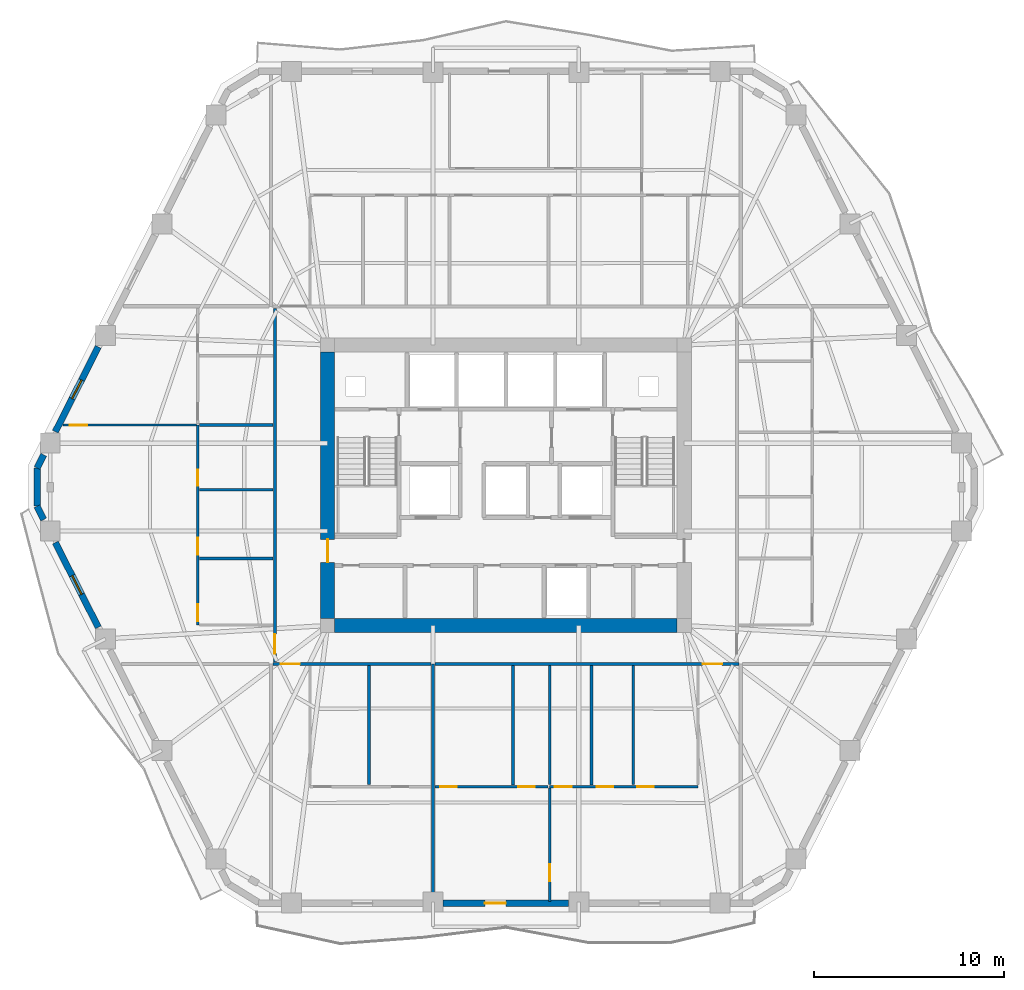
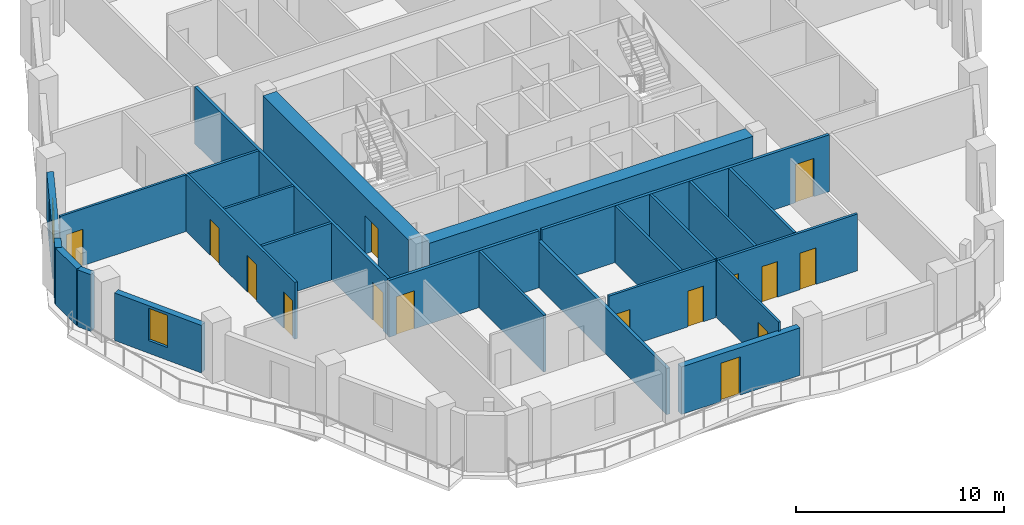
# One storey, part 4 of 11: 25 walls, 15 doors, 2 windows, 17 openings.
"""IFC4 building model written with IfcOpenShell, lengths in metres."""

import ifcopenshell
import ifcopenshell.guid

model = None  # the IFC model being written
_history = None  # IfcOwnerHistory: only IFC2X3 demands one
_inside = {}  # id of a spatial element -> (the spatial element, [elements in it])
_under = {}  # id of a project, library or spatial element -> (it, [spatial elements below it])
_declared = {}  # id of a project -> (the project, [libraries it declares])
_typed = {}  # id of a type object -> (the type object, [elements of that type])
_made_of = {}  # id of a material, layer set ... -> (it, [elements and type objects made of it])


def new_model(schema):
    """Start an empty IFC model of exactly this schema.

    Asked for "IFC4X3", IfcOpenShell would pick the latest addendum, in which some entities
    have other attributes; the version numbers below select the first issue.
    IFC2X3 requires an IfcOwnerHistory on every rooted entity: one is made here for all.
    """
    global model, _history
    if schema == "IFC4X3":
        model = ifcopenshell.file(schema_version=(4, 3, 0, 0))
    else:
        model = ifcopenshell.file(schema=schema)
    _inside.clear()
    _under.clear()
    _declared.clear()
    _typed.clear()
    _made_of.clear()
    _history = None
    if model.schema == "IFC2X3":
        org = make("IfcOrganization", Name="unknown")
        user = make(
            "IfcPersonAndOrganization",
            ThePerson=make("IfcPerson", FamilyName="unknown"),
            TheOrganization=org,
        )
        app = make(
            "IfcApplication",
            ApplicationDeveloper=org,
            Version="unknown",
            ApplicationFullName="unknown",
            ApplicationIdentifier="unknown",
        )
        _history = make(
            "IfcOwnerHistory",
            OwningUser=user,
            OwningApplication=app,
            ChangeAction="ADDED",
            CreationDate=0,
        )
    return model


def make(cls, **values):
    """One entity of the class cls with the attributes given. An attribute that is None is left unset."""
    return model.create_entity(
        cls, **{name: value for name, value in values.items() if value is not None}
    )


def rooted(cls, **values):
    """An entity with a GlobalId (a new one), such as an element, a storey or a relation."""
    return make(cls, GlobalId=ifcopenshell.guid.new(), OwnerHistory=_history, **values)


def si_unit(unit_type, name, prefix=None):
    """IfcSIUnit, for example si_unit("LENGTHUNIT", "METRE", prefix="MILLI")."""
    return make("IfcSIUnit", UnitType=unit_type, Prefix=prefix, Name=name)


def assignment(units):
    """IfcUnitAssignment: the units of a project."""
    return None if units is None else make("IfcUnitAssignment", Units=units)


def point(xyz):
    """IfcCartesianPoint."""
    return None if xyz is None else make("IfcCartesianPoint", Coordinates=xyz)


def direction(xyz):
    """IfcDirection."""
    return None if xyz is None else make("IfcDirection", DirectionRatios=xyz)


def frame(location, z_axis=None, x_axis=None):
    """IfcAxis2Placement3D, a coordinate frame: its origin and axes. An axis left out is left unset."""
    return make(
        "IfcAxis2Placement3D",
        Location=point(location),
        Axis=direction(z_axis),
        RefDirection=direction(x_axis),
    )


def frame_2d(location, x_axis=None):
    """IfcAxis2Placement2D, a coordinate frame in the plane: its origin and x axis."""
    return make(
        "IfcAxis2Placement2D", Location=point(location), RefDirection=direction(x_axis)
    )


def origin():
    """The frame at (0, 0, 0) with its axes left unset."""
    return frame((0.0, 0.0, 0.0))


def place(relative_to, where):
    """IfcLocalPlacement: puts the frame where relative to a parent placement (None: the world)."""
    return make(
        "IfcLocalPlacement", PlacementRelTo=relative_to, RelativePlacement=where
    )


def context(
    kind, dimensions, precision=None, world=None, true_north=None, identifier=None
):
    """IfcGeometricRepresentationContext, for example the 3D "Model" context."""
    return make(
        "IfcGeometricRepresentationContext",
        ContextIdentifier=identifier,
        ContextType=kind,
        CoordinateSpaceDimension=dimensions,
        Precision=precision,
        WorldCoordinateSystem=world,
        TrueNorth=true_north,
    )


def subcontext(parent, identifier, kind, view, scale=None):
    """IfcGeometricRepresentationSubContext, for example "Body" below "Model"."""
    return make(
        "IfcGeometricRepresentationSubContext",
        ContextIdentifier=identifier,
        ContextType=kind,
        ParentContext=parent,
        TargetScale=scale,
        TargetView=view,
    )


def project(units=None, contexts=None):
    """IfcProject with its units and contexts."""
    return rooted(
        "IfcProject",
        Name="project",
        RepresentationContexts=contexts,
        UnitsInContext=assignment(units),
    )


def spatial(cls, under=None, at=None, **own):
    """A site, building, storey or space (cls), placed at a placement, below another one or the project."""
    s = rooted(cls, ObjectPlacement=at, **own)
    if under is not None:
        _under.setdefault(under.id(), (under, []))[1].append(s)
    return s


def profile(cls, at=None, kind="AREA", **sizes):
    """A parametric profile (cls). Its sizes go by their IFC names, for example OverallWidth=200.0."""
    return make(cls, ProfileType=kind, Position=at, **sizes)


def rectangle(**sizes):
    """IfcRectangleProfileDef."""
    return profile("IfcRectangleProfileDef", **sizes)


def extrude(swept, where, along, depth):
    """IfcExtrudedAreaSolid: the profile swept, set in the frame where, extruded along a direction by depth."""
    return make(
        "IfcExtrudedAreaSolid",
        SweptArea=swept,
        Position=where,
        ExtrudedDirection=direction(along),
        Depth=depth,
    )


def shape(context_of_items, identifier, shape_type, items):
    """IfcShapeRepresentation: the items that make up one representation, for example the "Body"."""
    return make(
        "IfcShapeRepresentation",
        ContextOfItems=context_of_items,
        RepresentationIdentifier=identifier,
        RepresentationType=shape_type,
        Items=items,
    )


def material(Name=None, Category=None):
    """IfcMaterial."""
    return make("IfcMaterial", Name=Name, Category=Category)


def layer(
    of_material, thickness, ventilated=None, Name=None, Category=None, Priority=None
):
    """IfcMaterialLayer: one layer of a wall or slab, of a material (None: an air gap)."""
    return make(
        "IfcMaterialLayer",
        Material=of_material,
        LayerThickness=thickness,
        IsVentilated=ventilated,
        Name=Name,
        Category=Category,
        Priority=Priority,
    )


def layer_set(layers, Name=None):
    """IfcMaterialLayerSet."""
    return make("IfcMaterialLayerSet", MaterialLayers=layers, LayerSetName=Name)


def made_of(thing, what):
    """Note that an element or type object is made of a material, layer set ...; save() writes the relation."""
    if what is not None:
        _made_of.setdefault(what.id(), (what, []))[1].append(thing)
    return thing


def type_object(cls, material=None, **own):
    """A type object (cls), such as IfcWallType, which elements share."""
    return made_of(rooted(cls, **own), material)


def element(
    cls,
    number,
    at=None,
    inside=None,
    cuts=None,
    type_object=None,
    material=None,
    context=None,
    identifier="Body",
    shape_type=None,
    held_by="IfcProductDefinitionShape",
    body=None,
    shapes=None,
    **own,
):
    """One element of the class cls, such as IfcWall. Its Tag is "e" and its number.

    at: its placement. inside: the storey or other place that contains it. cuts: it is an
    opening in that element (IfcRelVoidsElement). A single representation is given by context,
    identifier, shape_type and body (its items); several are given by shapes. held_by: the class
    of the entity that holds the representations. save() writes the other relations.
    """
    e = rooted(cls, Tag="e%d" % number, ObjectPlacement=at, **own)
    if body is not None:
        shapes = [shape(context, identifier, shape_type, body)]
    if shapes is not None:
        e.Representation = make(held_by, Representations=shapes)
    if inside is not None:
        _inside.setdefault(inside.id(), (inside, []))[1].append(e)
    if cuts is not None:
        rooted(
            "IfcRelVoidsElement", RelatingBuildingElement=cuts, RelatedOpeningElement=e
        )
    if type_object is not None:
        _typed.setdefault(type_object.id(), (type_object, []))[1].append(e)
    return made_of(e, material)


def fill(opening, filler):
    """IfcRelFillsElement: the door or window that sits in an opening."""
    return rooted(
        "IfcRelFillsElement",
        RelatingOpeningElement=opening,
        RelatedBuildingElement=filler,
    )


def aggregate(whole, parts):
    """IfcRelAggregates: a whole, such as a stair, and the parts it consists of."""
    return rooted("IfcRelAggregates", RelatingObject=whole, RelatedObjects=parts)


def save(model, path):
    """Write the relations noted so far, then the file.

    IfcRelAggregates (storeys below a building ...), IfcRelContainedInSpatialStructure (elements
    in a storey), IfcRelDefinesByType, IfcRelAssociatesMaterial and IfcRelDeclares: one each for
    every whole, place, type object, material and project.
    """
    for whole, parts in _under.values():
        aggregate(whole, parts)
    for where, things in _inside.values():
        rooted(
            "IfcRelContainedInSpatialStructure",
            RelatedElements=things,
            RelatingStructure=where,
        )
    for kind, things in _typed.values():
        rooted("IfcRelDefinesByType", RelatedObjects=things, RelatingType=kind)
    for what, things in _made_of.values():
        rooted("IfcRelAssociatesMaterial", RelatedObjects=things, RelatingMaterial=what)
    for by, libraries in _declared.values():
        rooted("IfcRelDeclares", RelatingContext=by, RelatedDefinitions=libraries)
    model.write(path)


model = new_model("IFC4")

# Units and contexts
model_context = context("Model", 3, precision=1e-05, world=origin(), true_north=direction((0.0, 1.0)))
body_context = subcontext(model_context, "Body", "Model", "MODEL_VIEW")
ifc_project = project(units=[si_unit("LENGTHUNIT", "METRE"), si_unit("AREAUNIT", "SQUARE_METRE"), si_unit("VOLUMEUNIT", "CUBIC_METRE"), si_unit("PLANEANGLEUNIT", "RADIAN"), si_unit("MASSUNIT", "GRAM", prefix="KILO")], contexts=[model_context])

# Site, building, storey
site_placement = place(None, origin())
site = spatial("IfcSite", under=ifc_project, at=site_placement, CompositionType="ELEMENT")
building_placement = place(site_placement, origin())
building = spatial("IfcBuilding", under=site, at=building_placement, Name="Cinnabar Lancet Tower", CompositionType="ELEMENT")
storey_placement = place(building_placement, frame((0.0, 0.0, 130.35009765625)))
storey = spatial("IfcBuildingStorey", under=building, at=storey_placement, Name="L34", CompositionType="ELEMENT", Elevation=130.35009765625)

# Wall, opening, door
ifc_material_1 = material(Name="Acoustic twin-stud gypsum partition", Category="gypsum")
ifc_layer_1 = layer(ifc_material_1, 0.159912109375)
ifc_layer_set_1 = layer_set([ifc_layer_1], Name="Acoustic twin-stud gypsum partition")
wall_type_1 = type_object("IfcWallType", Name="ARC-WL-CORR-160", PredefinedType="PARTITIONING", material=ifc_layer_set_1)
wall_1_placement = place(storey_placement, frame((20.14501953125, 16.5, 0.0), z_axis=(0.0, 0.0, 1.0), x_axis=(1.0, 0.0, 0.0)))
wall_1 = element("IfcWall", 1, at=wall_1_placement, inside=storey, type_object=wall_type_1, Name="L34 Unit S01 Corridor Wall", PredefinedType="PARTITIONING", context=body_context, shape_type="SweptSolid", body=[
    extrude(rectangle(XDim=8.327880859375, YDim=0.159912109375, at=frame_2d((4.1640625, 0.0))), origin(), (0.0, 0.0, 1.0), 3.33984375),
])
opening_1_placement = place(wall_1_placement, frame((0.405029296875, 0.0, 0.0)))
opening_1 = element("IfcOpeningElement", 2, at=opening_1_placement, cuts=wall_1, Name="Opening UD-01", PredefinedType="OPENING", context=body_context, shape_type="SweptSolid", body=[
    extrude(rectangle(XDim=1.02001953125, YDim=2.25, at=frame_2d((0.510009765625, 1.125))), frame((0.0, 0.08984375, 0.0), z_axis=(0.0, -1.0, 0.0), x_axis=(1.0, 0.0, 0.0)), (0.0, 0.0, 1.0), 0.179931640625),
])
ifc_material_2 = material(Name="Solid timber fire-rated apartment entrance door", Category="wood")
door_type_1 = type_object("IfcDoorType", Name="ARC-DR-UNIT", OperationType="NOTDEFINED", PredefinedType="DOOR", material=ifc_material_2)
door_1_placement = place(opening_1_placement, origin())
door_1 = element("IfcDoor", 3, at=door_1_placement, inside=storey, type_object=door_type_1, Name="DR-L34-S01-ENT", OperationType="SINGLE_SWING_RIGHT", OverallHeight=2.25, OverallWidth=1.02001953125, PredefinedType="DOOR", context=body_context, shape_type="SweptSolid", body=[
    extrude(rectangle(XDim=1.02001953125, YDim=2.25, at=frame_2d((0.510009765625, 1.125))), frame((0.0, 0.02490234375, 0.0), z_axis=(0.0, -1.0, 0.0), x_axis=(1.0, 0.0, 0.0)), (0.0, 0.0, 1.0), 0.050048828125),
])
fill(opening_1, door_1)

wall_2_placement = place(storey_placement, frame((28.6630859375, 16.5, 0.0), z_axis=(0.0, 0.0, 1.0), x_axis=(1.0, 0.0, 0.0)))
wall_2 = element("IfcWall", 4, at=wall_2_placement, inside=storey, type_object=wall_type_1, Name="L34 Unit S02 Corridor Wall", PredefinedType="PARTITIONING", context=body_context, shape_type="SweptSolid", body=[
    extrude(rectangle(XDim=15.991943359375, YDim=0.159912109375, at=frame_2d((7.99609375, 0.0))), origin(), (0.0, 0.0, 1.0), 3.33984375),
])
opening_2_placement = place(wall_2_placement, frame((14.0869140625, 0.0, 0.0)))
opening_2 = element("IfcOpeningElement", 5, at=opening_2_placement, cuts=wall_2, Name="Opening UD-01", PredefinedType="OPENING", context=body_context, shape_type="SweptSolid", body=[
    extrude(rectangle(XDim=1.02001953125, YDim=2.25, at=frame_2d((0.510009765625, 1.125))), frame((0.0, 0.08984375, 0.0), z_axis=(0.0, -1.0, 0.0), x_axis=(1.0, 0.0, 0.0)), (0.0, 0.0, 1.0), 0.179931640625),
])
door_2_placement = place(opening_2_placement, origin())
door_2 = element("IfcDoor", 6, at=door_2_placement, inside=storey, type_object=door_type_1, Name="DR-L34-S02-ENT", OperationType="SINGLE_SWING_LEFT", OverallHeight=2.25, OverallWidth=1.02001953125, PredefinedType="DOOR", context=body_context, shape_type="SweptSolid", body=[
    extrude(rectangle(XDim=1.02001953125, YDim=2.25, at=frame_2d((0.510009765625, 1.125))), frame((0.0, 0.02490234375, 0.0), z_axis=(0.0, -1.0, 0.0), x_axis=(1.0, 0.0, 0.0)), (0.0, 0.0, 1.0), 0.050048828125),
])
fill(opening_2, door_2)

wall_3_placement = place(storey_placement, frame((20.25, 16.594970703125, 0.0), z_axis=(0.0, 0.0, 1.0), x_axis=(0.0, 1.0, 0.0)))
wall_3 = element("IfcWall", 7, at=wall_3_placement, inside=storey, type_object=wall_type_1, Name="UW-L34-W01-COR", PredefinedType="PARTITIONING", context=body_context, shape_type="SweptSolid", body=[
    extrude(rectangle(XDim=18.610107421875, YDim=0.159912109375, at=frame_2d((9.30517578125, 0.0))), origin(), (0.0, 0.0, 1.0), 3.33984375),
])
opening_3_placement = place(wall_3_placement, frame((0.449951171875, 0.0, 0.0)))
opening_3 = element("IfcOpeningElement", 8, at=opening_3_placement, cuts=wall_3, Name="Opening UD-01", PredefinedType="OPENING", context=body_context, shape_type="SweptSolid", body=[
    extrude(rectangle(XDim=1.02001953125, YDim=2.25, at=frame_2d((0.510009765625, 1.125))), frame((0.0, 0.08984375, 0.0), z_axis=(0.0, -1.0, 0.0), x_axis=(1.0, 0.0, 0.0)), (0.0, 0.0, 1.0), 0.179931640625),
])
door_3_placement = place(opening_3_placement, origin())
door_3 = element("IfcDoor", 9, at=door_3_placement, inside=storey, type_object=door_type_1, Name="DR-L34-W01-ENT", OperationType="SINGLE_SWING_RIGHT", OverallHeight=2.25, OverallWidth=1.02001953125, PredefinedType="DOOR", context=body_context, shape_type="SweptSolid", body=[
    extrude(rectangle(XDim=1.02001953125, YDim=2.25, at=frame_2d((0.510009765625, 1.125))), frame((0.0, 0.02490234375, 0.0), z_axis=(0.0, -1.0, 0.0), x_axis=(1.0, 0.0, 0.0)), (0.0, 0.0, 1.0), 0.050048828125),
])
fill(opening_3, door_3)

# Wall
ifc_material_3 = material(Name="Fire-rated twin-frame acoustic drywall", Category="gypsum")
ifc_layer_2 = layer(ifc_material_3, 0.179931640625)
ifc_layer_set_2 = layer_set([ifc_layer_2], Name="Fire-rated twin-frame acoustic drywall")
wall_type_2 = type_object("IfcWallType", Name="ARC-WL-PARTY-180", PredefinedType="PARTITIONING", material=ifc_layer_set_2)
wall_4_placement = place(storey_placement, frame((28.568115234375, 4.10498046875, 0.0), z_axis=(0.0, 0.0, 1.0), x_axis=(0.0, 1.0, 0.0)))
element("IfcWall", 10, at=wall_4_placement, inside=storey, type_object=wall_type_2, Name="PW-L34-SPTY-286", PredefinedType="PARTITIONING", context=body_context, shape_type="SweptSolid", body=[
    extrude(rectangle(XDim=12.39501953125, YDim=0.179931640625, at=frame_2d((6.197509765625, 0.0))), origin(), (0.0, 0.0, 1.0), 2.721923828125),
])

# Wall, opening, door
ifc_material_4 = material(Name="Gypsum plasterboard stud partition", Category="gypsum")
ifc_layer_3 = layer(ifc_material_4, 0.125)
ifc_layer_set_3 = layer_set([ifc_layer_3], Name="Gypsum plasterboard stud partition")
wall_type_3 = type_object("IfcWallType", Name="ARC-WL-UNIT-125", PredefinedType="PARTITIONING", material=ifc_layer_set_3)
wall_5_placement = place(storey_placement, frame((34.701904296875, 4.014892578125, 0.0), z_axis=(0.0, 0.0, 1.0), x_axis=(0.0, 1.0, 0.0)))
wall_5 = element("IfcWall", 11, at=wall_5_placement, inside=storey, type_object=wall_type_3, Name="UW-L34-S02-MBW", PredefinedType="PARTITIONING", context=body_context, shape_type="SweptSolid", body=[
    extrude(rectangle(XDim=5.965087890625, YDim=0.125, at=frame_2d((2.982421875, 0.0))), origin(), (0.0, 0.0, 1.0), 3.33984375),
])
opening_4_placement = place(wall_5_placement, frame((1.050048828125, 0.0, 0.0)))
opening_4 = element("IfcOpeningElement", 12, at=opening_4_placement, cuts=wall_5, Name="Opening RD-01", PredefinedType="OPENING", context=body_context, shape_type="SweptSolid", body=[
    extrude(rectangle(XDim=0.919921875, YDim=2.14990234375, at=frame_2d((0.4599609375, 1.074951171875))), frame((0.0, 0.072509765625, 0.0), z_axis=(0.0, -1.0, 0.0), x_axis=(1.0, 0.0, 0.0)), (0.0, 0.0, 1.0), 0.14501953125),
])
ifc_material_5 = material(Name="Engineered timber bedroom door", Category="wood")
door_type_2 = type_object("IfcDoorType", Name="ARC-DR-ROOM", OperationType="NOTDEFINED", PredefinedType="DOOR", material=ifc_material_5)
door_4_placement = place(opening_4_placement, origin())
door_4 = element("IfcDoor", 13, at=door_4_placement, inside=storey, type_object=door_type_2, Name="DR-L34-S02-MBD", OperationType="SINGLE_SWING_RIGHT", OverallHeight=2.14990234375, OverallWidth=0.919921875, PredefinedType="DOOR", context=body_context, shape_type="SweptSolid", body=[
    extrude(rectangle(XDim=0.919921875, YDim=2.14990234375, at=frame_2d((0.4599609375, 1.074951171875))), frame((0.0, 0.02490234375, 0.0), z_axis=(0.0, -1.0, 0.0), x_axis=(1.0, 0.0, 0.0)), (0.0, 0.0, 1.0), 0.050048828125),
])
fill(opening_4, door_4)

wall_6_placement = place(storey_placement, frame((9.115966796875, 29.06396484375, 0.0), z_axis=(0.0, 0.0, 1.0), x_axis=(1.0, 0.0, 0.0)))
wall_6 = element("IfcWall", 14, at=wall_6_placement, inside=storey, type_object=wall_type_3, Name="UW-L34-W01-MBN", PredefinedType="PARTITIONING", context=body_context, shape_type="SweptSolid", body=[
    extrude(rectangle(XDim=7.009033203125, YDim=0.125, at=frame_2d((3.50439453125, 0.0))), origin(), (0.0, 0.0, 1.0), 3.33984375),
])
opening_5_placement = place(wall_6_placement, frame((0.35009765625, 0.0, 0.0)))
opening_5 = element("IfcOpeningElement", 15, at=opening_5_placement, cuts=wall_6, Name="Opening RD-01", PredefinedType="OPENING", context=body_context, shape_type="SweptSolid", body=[
    extrude(rectangle(XDim=0.919921875, YDim=2.14990234375, at=frame_2d((0.4599609375, 1.074951171875))), frame((0.0, 0.072509765625, 0.0), z_axis=(0.0, -1.0, 0.0), x_axis=(1.0, 0.0, 0.0)), (0.0, 0.0, 1.0), 0.14501953125),
])
door_5_placement = place(opening_5_placement, origin())
door_5 = element("IfcDoor", 16, at=door_5_placement, inside=storey, type_object=door_type_2, Name="DR-L34-W01-MBD", OperationType="SINGLE_SWING_RIGHT", OverallHeight=2.14990234375, OverallWidth=0.919921875, PredefinedType="DOOR", context=body_context, shape_type="SweptSolid", body=[
    extrude(rectangle(XDim=0.919921875, YDim=2.14990234375, at=frame_2d((0.4599609375, 1.074951171875))), frame((0.0, 0.02490234375, 0.0), z_axis=(0.0, -1.0, 0.0), x_axis=(1.0, 0.0, 0.0)), (0.0, 0.0, 1.0), 0.050048828125),
])
fill(opening_5, door_5)

# Walls
wall_7_placement = place(storey_placement, frame((16.284912109375, 25.6640625, 0.0), z_axis=(0.0, 0.0, 1.0), x_axis=(1.0, 0.0, 0.0)))
element("IfcWall", 17, at=wall_7_placement, inside=storey, type_object=wall_type_3, Name="UW-L34-W01-UDV", PredefinedType="PARTITIONING", context=body_context, shape_type="SweptSolid", body=[
    extrude(rectangle(XDim=3.880126953125, YDim=0.125, at=frame_2d((1.93994140625, 0.0))), origin(), (0.0, 0.0, 1.0), 3.33984375),
])
ifc_material_6 = material(Name="Moisture-resistant cement-board plumbing wall", Category="masonry")
ifc_layer_4 = layer(ifc_material_6, 0.139892578125)
ifc_layer_set_4 = layer_set([ifc_layer_4], Name="Moisture-resistant cement-board plumbing wall")
wall_type_4 = type_object("IfcWallType", Name="ARC-WL-WET-140", PredefinedType="PLUMBINGWALL", material=ifc_layer_set_4)
wall_8_placement = place(storey_placement, frame((25.205078125, 10.159912109375, 0.0), z_axis=(0.0, 0.0, 1.0), x_axis=(0.0, 1.0, 0.0)))
element("IfcWall", 18, at=wall_8_placement, inside=storey, type_object=wall_type_4, Name="UW-L34-S01-KDV", PredefinedType="PLUMBINGWALL", context=body_context, shape_type="SweptSolid", body=[
    extrude(rectangle(XDim=6.255126953125, YDim=0.139892578125, at=frame_2d((3.12744140625, 0.0))), origin(), (0.0, 0.0, 1.0), 3.33984375),
])

# Wall, openings, doors
wall_9_placement = place(storey_placement, frame((34.701904296875, 10.054931640625, 0.0), z_axis=(0.0, 0.0, 1.0), x_axis=(1.0, 0.0, 0.0)))
wall_9 = element("IfcWall", 19, at=wall_9_placement, inside=storey, type_object=wall_type_4, Name="UW-L34-S02-SPL", PredefinedType="PLUMBINGWALL", context=body_context, shape_type="SweptSolid", body=[
    extrude(rectangle(XDim=7.798095703125, YDim=0.139892578125, at=frame_2d((3.89892578125, 0.0))), origin(), (0.0, 0.0, 1.0), 3.33984375),
])
opening_6_placement = place(wall_9_placement, frame((0.280029296875, 0.0, 0.0)))
opening_6 = element("IfcOpeningElement", 20, at=opening_6_placement, cuts=wall_9, Name="Opening RD-02", PredefinedType="OPENING", context=body_context, shape_type="SweptSolid", body=[
    extrude(rectangle(XDim=0.8798828125, YDim=2.14990234375, at=frame_2d((0.43994140625, 1.074951171875))), frame((0.0, 0.079833984375, 0.0), z_axis=(0.0, -1.0, 0.0), x_axis=(1.0, 0.0, 0.0)), (0.0, 0.0, 1.0), 0.159912109375),
])
opening_7_placement = place(wall_9_placement, frame((2.48193359375, 0.0, 0.0)))
opening_7 = element("IfcOpeningElement", 21, at=opening_7_placement, cuts=wall_9, Name="Opening BD-01", PredefinedType="OPENING", context=body_context, shape_type="SweptSolid", body=[
    extrude(rectangle(XDim=0.860107421875, YDim=2.10009765625, at=frame_2d((0.43017578125, 1.050048828125))), frame((0.0, 0.079833984375, 0.0), z_axis=(0.0, -1.0, 0.0), x_axis=(1.0, 0.0, 0.0)), (0.0, 0.0, 1.0), 0.159912109375),
])
opening_8_placement = place(wall_9_placement, frame((4.597900390625, 0.0, 0.0)))
opening_8 = element("IfcOpeningElement", 22, at=opening_8_placement, cuts=wall_9, Name="Opening RD-02", PredefinedType="OPENING", context=body_context, shape_type="SweptSolid", body=[
    extrude(rectangle(XDim=0.8798828125, YDim=2.14990234375, at=frame_2d((0.43994140625, 1.074951171875))), frame((0.0, 0.079833984375, 0.0), z_axis=(0.0, -1.0, 0.0), x_axis=(1.0, 0.0, 0.0)), (0.0, 0.0, 1.0), 0.159912109375),
])
ifc_material_7 = material(Name="Moisture-resistant timber bathroom door", Category="wood")
door_type_3 = type_object("IfcDoorType", Name="ARC-DR-BATH", OperationType="NOTDEFINED", PredefinedType="DOOR", material=ifc_material_7)
door_6_placement = place(opening_7_placement, origin())
door_6 = element("IfcDoor", 23, at=door_6_placement, inside=storey, type_object=door_type_3, Name="DR-L34-S02-BTH", OperationType="SINGLE_SWING_LEFT", OverallHeight=2.10009765625, OverallWidth=0.860107421875, PredefinedType="DOOR", context=body_context, shape_type="SweptSolid", body=[
    extrude(rectangle(XDim=0.860107421875, YDim=2.10009765625, at=frame_2d((0.43017578125, 1.050048828125))), frame((0.0, 0.02490234375, 0.0), z_axis=(0.0, -1.0, 0.0), x_axis=(1.0, 0.0, 0.0)), (0.0, 0.0, 1.0), 0.050048828125),
])
fill(opening_7, door_6)
ifc_material_8 = material(Name="Engineered timber study door", Category="wood")
door_type_4 = type_object("IfcDoorType", Name="ARC-DR-STUDY", OperationType="NOTDEFINED", PredefinedType="DOOR", material=ifc_material_8)
door_7_placement = place(opening_6_placement, origin())
door_7 = element("IfcDoor", 24, at=door_7_placement, inside=storey, type_object=door_type_4, Name="DR-L34-S02-BTH-WDR", OperationType="SINGLE_SWING_RIGHT", OverallHeight=2.14990234375, OverallWidth=0.8798828125, PredefinedType="DOOR", context=body_context, shape_type="SweptSolid", body=[
    extrude(rectangle(XDim=0.8798828125, YDim=2.14990234375, at=frame_2d((0.43994140625, 1.074951171875))), frame((0.0, 0.02490234375, 0.0), z_axis=(0.0, -1.0, 0.0), x_axis=(1.0, 0.0, 0.0)), (0.0, 0.0, 1.0), 0.050048828125),
])
fill(opening_6, door_7)
door_8_placement = place(opening_8_placement, origin())
door_8 = element("IfcDoor", 25, at=door_8_placement, inside=storey, type_object=door_type_4, Name="DR-L34-S02-KIT", OperationType="SINGLE_SWING_LEFT", OverallHeight=2.14990234375, OverallWidth=0.8798828125, PredefinedType="DOOR", context=body_context, shape_type="SweptSolid", body=[
    extrude(rectangle(XDim=0.8798828125, YDim=2.14990234375, at=frame_2d((0.43994140625, 1.074951171875))), frame((0.0, 0.02490234375, 0.0), z_axis=(0.0, -1.0, 0.0), x_axis=(1.0, 0.0, 0.0)), (0.0, 0.0, 1.0), 0.050048828125),
])
fill(opening_8, door_8)

wall_10_placement = place(storey_placement, frame((28.6630859375, 10.054931640625, 0.0), z_axis=(0.0, 0.0, 1.0), x_axis=(1.0, 0.0, 0.0)))
wall_10 = element("IfcWall", 26, at=wall_10_placement, inside=storey, type_object=wall_type_4, Name="UW-L34-S02-SPM", PredefinedType="PLUMBINGWALL", context=body_context, shape_type="SweptSolid", body=[
    extrude(rectangle(XDim=5.9638671875, YDim=0.139892578125, at=frame_2d((2.98193359375, 0.0))), origin(), (0.0, 0.0, 1.0), 3.33984375),
])
opening_9_placement = place(wall_10_placement, frame((0.280029296875, 0.0, 0.0)))
opening_9 = element("IfcOpeningElement", 27, at=opening_9_placement, cuts=wall_10, Name="Opening RD-02", PredefinedType="OPENING", context=body_context, shape_type="SweptSolid", body=[
    extrude(rectangle(XDim=0.8798828125, YDim=2.14990234375, at=frame_2d((0.43994140625, 1.074951171875))), frame((0.0, 0.079833984375, 0.0), z_axis=(0.0, -1.0, 0.0), x_axis=(1.0, 0.0, 0.0)), (0.0, 0.0, 1.0), 0.159912109375),
])
opening_10_placement = place(wall_10_placement, frame((4.39404296875, 0.0, 0.0)))
opening_10 = element("IfcOpeningElement", 28, at=opening_10_placement, cuts=wall_10, Name="Opening BD-01", PredefinedType="OPENING", context=body_context, shape_type="SweptSolid", body=[
    extrude(rectangle(XDim=0.860107421875, YDim=2.10009765625, at=frame_2d((0.43017578125, 1.050048828125))), frame((0.0, 0.079833984375, 0.0), z_axis=(0.0, -1.0, 0.0), x_axis=(1.0, 0.0, 0.0)), (0.0, 0.0, 1.0), 0.159912109375),
])
door_9_placement = place(opening_10_placement, origin())
door_9 = element("IfcDoor", 29, at=door_9_placement, inside=storey, type_object=door_type_3, Name="DR-L34-S02-ENS", OperationType="SINGLE_SWING_RIGHT", OverallHeight=2.10009765625, OverallWidth=0.860107421875, PredefinedType="DOOR", context=body_context, shape_type="SweptSolid", body=[
    extrude(rectangle(XDim=0.860107421875, YDim=2.10009765625, at=frame_2d((0.43017578125, 1.050048828125))), frame((0.0, 0.02490234375, 0.0), z_axis=(0.0, -1.0, 0.0), x_axis=(1.0, 0.0, 0.0)), (0.0, 0.0, 1.0), 0.050048828125),
])
fill(opening_10, door_9)
door_10_placement = place(opening_9_placement, origin())
door_10 = element("IfcDoor", 30, at=door_10_placement, inside=storey, type_object=door_type_4, Name="DR-L34-S02-ENS-WDR", OperationType="SINGLE_SWING_LEFT", OverallHeight=2.14990234375, OverallWidth=0.8798828125, PredefinedType="DOOR", context=body_context, shape_type="SweptSolid", body=[
    extrude(rectangle(XDim=0.8798828125, YDim=2.14990234375, at=frame_2d((0.43994140625, 1.074951171875))), frame((0.0, 0.02490234375, 0.0), z_axis=(0.0, -1.0, 0.0), x_axis=(1.0, 0.0, 0.0)), (0.0, 0.0, 1.0), 0.050048828125),
])
fill(opening_9, door_10)

# Walls
for number, where, z_axis, x_axis, name in (
    (31, (39.10009765625, 10.159912109375, 0.0), (0.0, 0.0, 1.0), (0.0, 1.0, 0.0), "UW-L34-S02-KBD"),
    (32, (34.701904296875, 10.159912109375, 0.0), (0.0, 0.0, 1.0), (0.0, 1.0, 0.0), "UW-L34-S02-ENSW"),
):
    element("IfcWall", number, at=place(storey_placement, frame(where, z_axis=z_axis, x_axis=x_axis)), inside=storey, type_object=wall_type_4, Name=name, PredefinedType="PLUMBINGWALL", context=body_context, shape_type="SweptSolid", body=[
        extrude(rectangle(XDim=6.255126953125, YDim=0.139892578125, at=frame_2d((3.12744140625, 0.0))), origin(), (0.0, 0.0, 1.0), 3.33984375),
    ])
for number, where, z_axis, x_axis, name in (
    (33, (36.904052734375, 10.139892578125, 0.0), (0.0, 0.0, 1.0), (0.0, 1.0, 0.0), "UW-L34-S02-BTH-WDV"),
    (34, (32.777099609375, 10.139892578125, 0.0), (0.0, 0.0, 1.0), (0.0, 1.0, 0.0), "UW-L34-S02-ENS-WDV"),
):
    element("IfcWall", number, at=place(storey_placement, frame(where, z_axis=z_axis, x_axis=x_axis)), inside=storey, type_object=wall_type_4, Name=name, PredefinedType="PLUMBINGWALL", context=body_context, shape_type="SweptSolid", body=[
        extrude(rectangle(XDim=6.275146484375, YDim=0.139892578125, at=frame_2d((3.1376953125, 0.0))), origin(), (0.0, 0.0, 1.0), 3.33984375),
    ])

# Wall, openings, doors
wall_11_placement = place(storey_placement, frame((16.199951171875, 18.550048828125, 0.0), z_axis=(0.0, 0.0, 1.0), x_axis=(0.0, 1.0, 0.0)))
wall_11 = element("IfcWall", 35, at=wall_11_placement, inside=storey, type_object=wall_type_4, Name="UW-L34-W01-SPL", PredefinedType="PLUMBINGWALL", context=body_context, shape_type="SweptSolid", body=[
    extrude(rectangle(XDim=10.513916015625, YDim=0.139892578125, at=frame_2d((5.2568359375, 0.0))), origin(), (0.0, 0.0, 1.0), 3.33984375),
])
opening_11_placement = place(wall_11_placement, frame((0.199951171875, 0.0, 0.0)))
opening_11 = element("IfcOpeningElement", 36, at=opening_11_placement, cuts=wall_11, Name="Opening RD-02", PredefinedType="OPENING", context=body_context, shape_type="SweptSolid", body=[
    extrude(rectangle(XDim=0.8798828125, YDim=2.14990234375, at=frame_2d((0.43994140625, 1.074951171875))), frame((0.0, 0.079833984375, 0.0), z_axis=(0.0, -1.0, 0.0), x_axis=(1.0, 0.0, 0.0)), (0.0, 0.0, 1.0), 0.159912109375),
])
opening_12_placement = place(wall_11_placement, frame((3.699951171875, 0.0, 0.0)))
opening_12 = element("IfcOpeningElement", 37, at=opening_12_placement, cuts=wall_11, Name="Opening RD-02", PredefinedType="OPENING", context=body_context, shape_type="SweptSolid", body=[
    extrude(rectangle(XDim=0.8798828125, YDim=2.14990234375, at=frame_2d((0.43994140625, 1.074951171875))), frame((0.0, 0.079833984375, 0.0), z_axis=(0.0, -1.0, 0.0), x_axis=(1.0, 0.0, 0.0)), (0.0, 0.0, 1.0), 0.159912109375),
])
opening_13_placement = place(wall_11_placement, frame((7.31396484375, 0.0, 0.0)))
opening_13 = element("IfcOpeningElement", 38, at=opening_13_placement, cuts=wall_11, Name="Opening BD-01", PredefinedType="OPENING", context=body_context, shape_type="SweptSolid", body=[
    extrude(rectangle(XDim=0.860107421875, YDim=2.10009765625, at=frame_2d((0.43017578125, 1.050048828125))), frame((0.0, 0.079833984375, 0.0), z_axis=(0.0, -1.0, 0.0), x_axis=(1.0, 0.0, 0.0)), (0.0, 0.0, 1.0), 0.159912109375),
])
door_11_placement = place(opening_13_placement, origin())
door_11 = element("IfcDoor", 39, at=door_11_placement, inside=storey, type_object=door_type_3, Name="DR-L34-W01-BTH", OperationType="SINGLE_SWING_LEFT", OverallHeight=2.10009765625, OverallWidth=0.860107421875, PredefinedType="DOOR", context=body_context, shape_type="SweptSolid", body=[
    extrude(rectangle(XDim=0.860107421875, YDim=2.10009765625, at=frame_2d((0.43017578125, 1.050048828125))), frame((0.0, 0.02490234375, 0.0), z_axis=(0.0, -1.0, 0.0), x_axis=(1.0, 0.0, 0.0)), (0.0, 0.0, 1.0), 0.050048828125),
])
fill(opening_13, door_11)
door_12_placement = place(opening_11_placement, origin())
door_12 = element("IfcDoor", 40, at=door_12_placement, inside=storey, type_object=door_type_4, Name="DR-L34-W01-KIT", OperationType="SINGLE_SWING_LEFT", OverallHeight=2.14990234375, OverallWidth=0.8798828125, PredefinedType="DOOR", context=body_context, shape_type="SweptSolid", body=[
    extrude(rectangle(XDim=0.8798828125, YDim=2.14990234375, at=frame_2d((0.43994140625, 1.074951171875))), frame((0.0, 0.02490234375, 0.0), z_axis=(0.0, -1.0, 0.0), x_axis=(1.0, 0.0, 0.0)), (0.0, 0.0, 1.0), 0.050048828125),
])
fill(opening_11, door_12)
door_13_placement = place(opening_12_placement, origin())
door_13 = element("IfcDoor", 41, at=door_13_placement, inside=storey, type_object=door_type_4, Name="DR-L34-W01-UTL", OperationType="SINGLE_SWING_RIGHT", OverallHeight=2.14990234375, OverallWidth=0.8798828125, PredefinedType="DOOR", context=body_context, shape_type="SweptSolid", body=[
    extrude(rectangle(XDim=0.8798828125, YDim=2.14990234375, at=frame_2d((0.43994140625, 1.074951171875))), frame((0.0, 0.02490234375, 0.0), z_axis=(0.0, -1.0, 0.0), x_axis=(1.0, 0.0, 0.0)), (0.0, 0.0, 1.0), 0.050048828125),
])
fill(opening_12, door_13)

# Walls
for number, where, z_axis, x_axis, name in (
    (42, (16.284912109375, 29.06396484375, 0.0), (0.0, 0.0, 1.0), (1.0, 0.0, 0.0), "UW-L34-W01-ENSN"),
    (43, (16.284912109375, 22.050048828125, 0.0), (0.0, 0.0, 1.0), (1.0, 0.0, 0.0), "UW-L34-W01-KDV"),
):
    element("IfcWall", number, at=place(storey_placement, frame(where, z_axis=z_axis, x_axis=x_axis)), inside=storey, type_object=wall_type_4, Name=name, PredefinedType="PLUMBINGWALL", context=body_context, shape_type="SweptSolid", body=[
        extrude(rectangle(XDim=3.880126953125, YDim=0.139892578125, at=frame_2d((1.93994140625, 0.0))), origin(), (0.0, 0.0, 1.0), 3.33984375),
    ])
ifc_material_9 = material(Name="Cinnabar red clay brick", Category="masonry")
ifc_layer_5 = layer(ifc_material_9, 0.340087890625)
ifc_layer_set_5 = layer_set([ifc_layer_5], Name="Cinnabar red clay brick")
wall_type_5 = type_object("IfcWallType", Name="ENV-WL-BRK-RED-340", PredefinedType="STANDARD", material=ifc_layer_set_5)
wall_12_placement = place(storey_placement, frame((7.76708984375, 26.797119140625, 0.0), z_axis=(0.0, 0.0, 1.0), x_axis=(0.0, -1.0, 0.0)))
element("IfcWall", 44, at=wall_12_placement, inside=storey, type_object=wall_type_5, Name="L34 Chamfered Corner Brick Pier 6.1", PredefinedType="STANDARD", context=body_context, shape_type="SweptSolid", body=[
    extrude(rectangle(XDim=1.994140625, YDim=0.340087890625, at=frame_2d((0.9970703125, 0.0))), origin(), (0.0, 0.0, 1.0), 3.33984375),
])

# Wall, opening, door
wall_13_placement = place(storey_placement, frame((29.096923828125, 3.929931640625, 0.0), z_axis=(0.0, 0.0, 1.0), x_axis=(1.0, 0.0, 0.0)))
wall_13 = element("IfcWall", 45, at=wall_13_placement, inside=storey, type_object=wall_type_5, Name="L34 Face 1 Masonry Bay Wall 3", PredefinedType="STANDARD", context=body_context, shape_type="SweptSolid", body=[
    extrude(rectangle(XDim=6.60595703125, YDim=0.340087890625, at=frame_2d((3.302978515625, 0.0))), origin(), (0.0, 0.0, 1.0), 2.796875),
])
opening_14_placement = place(wall_13_placement, frame((2.200927734375, 0.0, 0.0)))
opening_14 = element("IfcOpeningElement", 46, at=opening_14_placement, cuts=wall_13, Name="Opening TD-01", PredefinedType="OPENING", context=body_context, shape_type="SweptSolid", body=[
    extrude(rectangle(XDim=1.10009765625, YDim=2.25, at=frame_2d((0.550048828125, 1.125))), frame((0.0, 0.179931640625, 0.0), z_axis=(0.0, -1.0, 0.0), x_axis=(1.0, 0.0, 0.0)), (0.0, 0.0, 1.0), 0.360107421875),
])
ifc_material_10 = material(Name="Thermally broken low-E glazed balcony terrace door", Category="wood")
door_type_5 = type_object("IfcDoorType", Name="ARC-DR-BALC", OperationType="NOTDEFINED", PredefinedType="DOOR", material=ifc_material_10)
door_14_placement = place(opening_14_placement, origin())
door_14 = element("IfcDoor", 47, at=door_14_placement, inside=storey, type_object=door_type_5, Name="L34 Face 1 Glazed Terrace Door", OperationType="SINGLE_SWING_RIGHT", OverallHeight=2.25, OverallWidth=1.10009765625, PredefinedType="DOOR", context=body_context, shape_type="SweptSolid", body=[
    extrude(rectangle(XDim=1.10009765625, YDim=2.25, at=frame_2d((0.550048828125, 1.125))), frame((0.0, 0.02490234375, 0.0), z_axis=(0.0, -1.0, 0.0), x_axis=(1.0, 0.0, 0.0)), (0.0, 0.0, 1.0), 0.050048828125),
])
fill(opening_14, door_14)

# Wall, opening, window
wall_14_placement = place(storey_placement, frame((10.968017578125, 33.172119140625, 0.0), z_axis=(0.0, 0.0, 1.0), x_axis=(-0.451470533039, -0.892286029139, 0.0)))
wall_14 = element("IfcWall", 48, at=wall_14_placement, inside=storey, type_object=wall_type_5, Name="L34 Face 5 Masonry Bay Wall 4", PredefinedType="STANDARD", context=body_context, shape_type="SweptSolid", body=[
    extrude(rectangle(XDim=4.9951171875, YDim=0.340087890625, at=frame_2d((2.49755859375, 0.0))), origin(), (0.0, 0.0, 1.0), 2.796875),
])
opening_15_placement = place(wall_14_placement, frame((1.947021484375, 0.0, 0.75)))
opening_15 = element("IfcOpeningElement", 49, at=opening_15_placement, cuts=wall_14, Name="Opening WN-04", PredefinedType="OPENING", context=body_context, shape_type="SweptSolid", body=[
    extrude(rectangle(XDim=1.10009765625, YDim=1.89697265625, at=frame_2d((0.550048828125, 0.948486328125))), frame((0.0, 0.179931640625, 0.0), z_axis=(0.0, -1.0, 0.0), x_axis=(1.0, 0.0, 0.0)), (0.0, 0.0, 1.0), 0.360107421875),
])
ifc_material_11 = material(Name="Thermally broken bronze-anodized aluminium tall lancet window", Category="aluminium")
window_type = type_object("IfcWindowType", Name="ENV-WN-LANCET-1100", PartitioningType="SINGLE_PANEL", PredefinedType="WINDOW", material=ifc_material_11)
window_1_placement = place(opening_15_placement, origin())
window_1 = element("IfcWindow", 50, at=window_1_placement, inside=storey, type_object=window_type, Name="L34 Face 5 Gothic Lancet Window 4", OverallHeight=1.89697265625, OverallWidth=1.10009765625, PartitioningType="SINGLE_PANEL", PredefinedType="WINDOW", context=body_context, shape_type="SweptSolid", body=[
    extrude(rectangle(XDim=1.10009765625, YDim=1.89697265625, at=frame_2d((0.550048828125, 0.948486328125))), frame((0.0, 0.030029296875, 0.0), z_axis=(0.0, -1.0, 0.0), x_axis=(1.0, 0.0, 0.0)), (0.0, 0.0, 1.0), 0.06005859375),
])
fill(opening_15, window_1)

# Walls
for number, where, z_axis, x_axis, name in (
    (51, (8.10009765625, 27.5029296875, 0.0), (0.0, 0.0, 1.0), (-0.451819324107, -0.89210946546, 0.0), "L34 Face 5 Masonry Bay Wall 5"),
    (52, (7.74609375, 24.7958984375, 0.0), (0.0, 0.0, 1.0), (0.451819324107, -0.89210946546, 0.0), "L34 Face 6 Masonry Bay Wall 1"),
):
    element("IfcWall", number, at=place(storey_placement, frame(where, z_axis=z_axis, x_axis=x_axis)), inside=storey, type_object=wall_type_5, Name=name, PredefinedType="STANDARD", context=body_context, shape_type="SweptSolid", body=[
        extrude(rectangle(XDim=0.783447265625, YDim=0.340087890625, at=frame_2d((0.3916015625, 0.0))), origin(), (0.0, 0.0, 1.0), 3.33984375),
    ])

# Wall, opening, window
wall_15_placement = place(storey_placement, frame((8.712890625, 22.885009765625, 0.0), z_axis=(0.0, 0.0, 1.0), x_axis=(0.451470533039, -0.892286029139, 0.0)))
wall_15 = element("IfcWall", 53, at=wall_15_placement, inside=storey, type_object=wall_type_5, Name="L34 Face 6 Masonry Bay Wall 2", PredefinedType="STANDARD", context=body_context, shape_type="SweptSolid", body=[
    extrude(rectangle(XDim=4.9951171875, YDim=0.340087890625, at=frame_2d((2.49755859375, 0.0))), origin(), (0.0, 0.0, 1.0), 2.796875),
])
opening_16_placement = place(wall_15_placement, frame((1.947021484375, 0.0, 0.75)))
opening_16 = element("IfcOpeningElement", 54, at=opening_16_placement, cuts=wall_15, Name="Opening WN-04", PredefinedType="OPENING", context=body_context, shape_type="SweptSolid", body=[
    extrude(rectangle(XDim=1.10009765625, YDim=1.89697265625, at=frame_2d((0.550048828125, 0.948486328125))), frame((0.0, 0.179931640625, 0.0), z_axis=(0.0, -1.0, 0.0), x_axis=(1.0, 0.0, 0.0)), (0.0, 0.0, 1.0), 0.360107421875),
])
window_2_placement = place(opening_16_placement, origin())
window_2 = element("IfcWindow", 55, at=window_2_placement, inside=storey, type_object=window_type, Name="L34 Face 6 Gothic Lancet Window 2", OverallHeight=1.89697265625, OverallWidth=1.10009765625, PartitioningType="SINGLE_PANEL", PredefinedType="WINDOW", context=body_context, shape_type="SweptSolid", body=[
    extrude(rectangle(XDim=1.10009765625, YDim=1.89697265625, at=frame_2d((0.550048828125, 0.948486328125))), frame((0.0, 0.030029296875, 0.0), z_axis=(0.0, -1.0, 0.0), x_axis=(1.0, 0.0, 0.0)), (0.0, 0.0, 1.0), 0.06005859375),
])
fill(opening_16, window_2)

# Wall
ifc_material_12 = material(Name="Concrete C70/85", Category="concrete")
ifc_layer_6 = layer(ifc_material_12, 0.75)
ifc_layer_set_6 = layer_set([ifc_layer_6], Name="Concrete C70/85")
wall_type_6 = type_object("IfcWallType", Name="STR-WL-CORE-750", PredefinedType="SHEAR", material=ifc_layer_set_6)
wall_16_placement = place(storey_placement, frame((23.39990234375, 18.52490234375, 0.0), z_axis=(0.0, 0.0, 1.0), x_axis=(1.0, 0.0, 0.0)))
element("IfcWall", 56, at=wall_16_placement, inside=storey, type_object=wall_type_6, Name="L34 Core Shear Wall S", PredefinedType="SHEAR", context=body_context, shape_type="SweptSolid", body=[
    extrude(rectangle(XDim=18.0, YDim=0.75, at=frame_2d((9.0, 0.0))), origin(), (0.0, 0.0, 1.0), 3.33984375),
])

# Wall, opening, door
wall_17_placement = place(storey_placement, frame((23.02490234375, 18.89990234375, 0.0), z_axis=(0.0, 0.0, 1.0), x_axis=(0.0, 1.0, 0.0)))
wall_17 = element("IfcWall", 57, at=wall_17_placement, inside=storey, type_object=wall_type_6, Name="L34 Core Shear Wall W", PredefinedType="SHEAR", context=body_context, shape_type="SweptSolid", body=[
    extrude(rectangle(XDim=14.0, YDim=0.75, at=frame_2d((7.0, 0.0))), origin(), (0.0, 0.0, 1.0), 3.33984375),
])
opening_17_placement = place(wall_17_placement, frame((2.93994140625, 0.0, 0.0)))
opening_17 = element("IfcOpeningElement", 58, at=opening_17_placement, cuts=wall_17, Name="Opening FD-02", PredefinedType="OPENING", context=body_context, shape_type="SweptSolid", body=[
    extrude(rectangle(XDim=1.219970703125, YDim=2.25, at=frame_2d((0.60986328125, 1.125))), frame((0.0, 0.385009765625, 0.0), z_axis=(0.0, -1.0, 0.0), x_axis=(1.0, 0.0, 0.0)), (0.0, 0.0, 1.0), 0.77001953125),
])
ifc_material_13 = material(Name="Fire-rated double-vision core portal door", Category="wood")
door_type_6 = type_object("IfcDoorType", Name="ARC-DR-CPORT", OperationType="NOTDEFINED", PredefinedType="DOOR", material=ifc_material_13)
door_15_placement = place(opening_17_placement, origin())
door_15 = element("IfcDoor", 59, at=door_15_placement, inside=storey, type_object=door_type_6, Name="L34 West Core Lobby Fire Door", OperationType="SINGLE_SWING_RIGHT", OverallHeight=2.25, OverallWidth=1.219970703125, PredefinedType="DOOR", context=body_context, shape_type="SweptSolid", body=[
    extrude(rectangle(XDim=1.219970703125, YDim=2.25, at=frame_2d((0.60986328125, 1.125))), frame((0.0, 0.02490234375, 0.0), z_axis=(0.0, -1.0, 0.0), x_axis=(1.0, 0.0, 0.0)), (0.0, 0.0, 1.0), 0.050048828125),
])
fill(opening_17, door_15)

save(model, "model.ifc")
